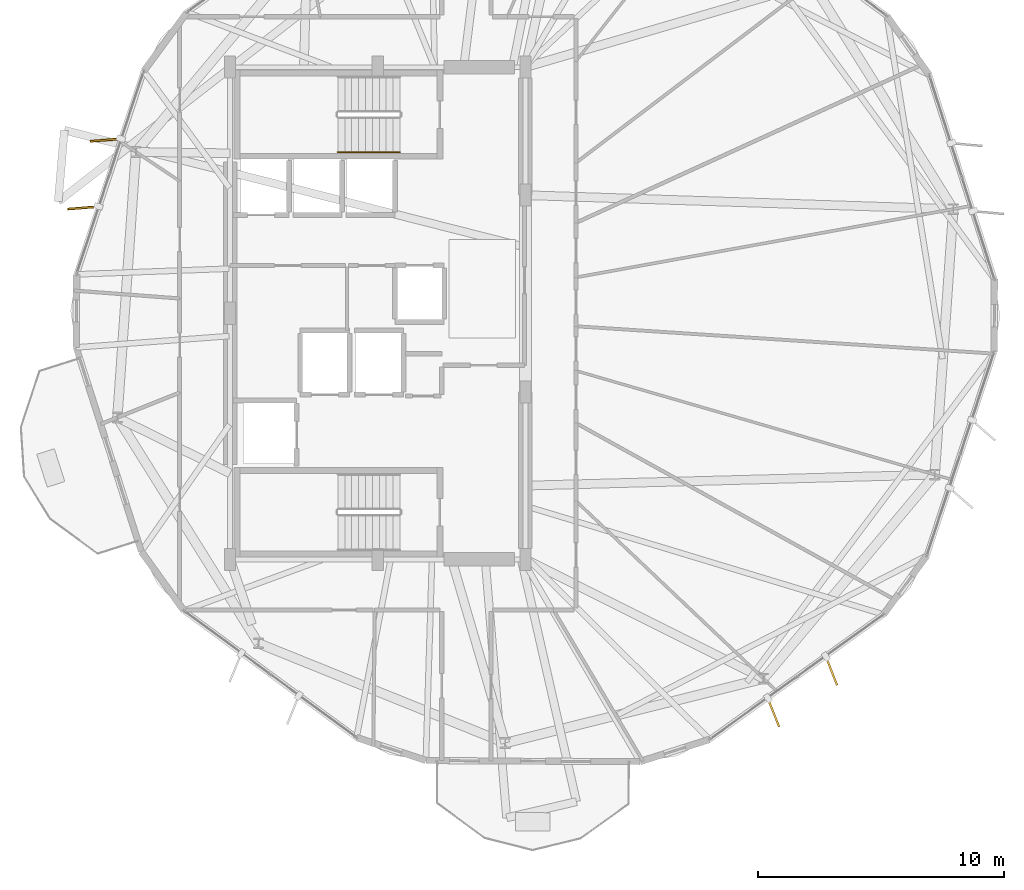
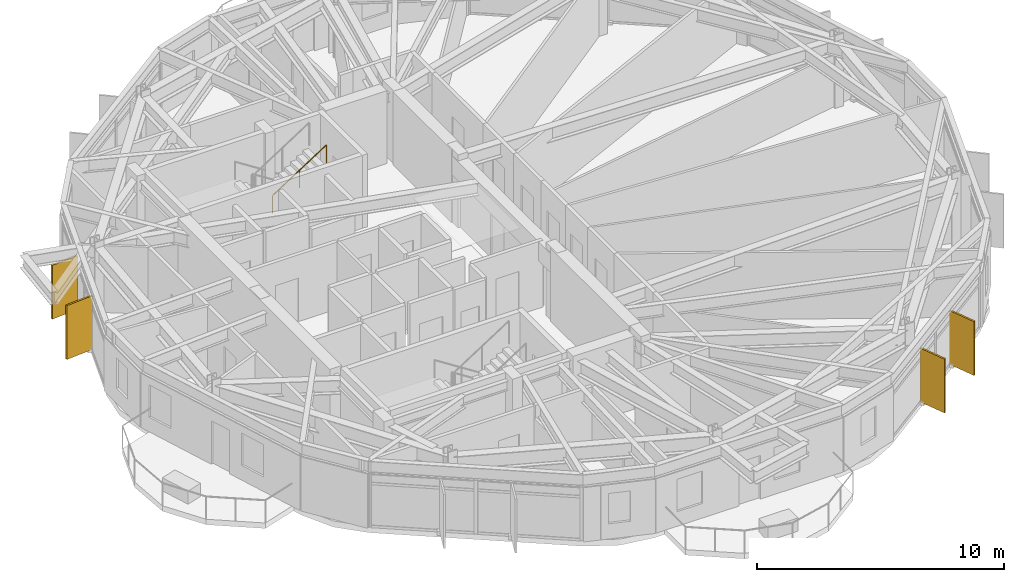
# One storey, part 22 of 24: 4 shading devices, 1 railing.
"""IFC4 building model written with IfcOpenShell, lengths in metres."""

from ifc_helpers import new_model, si_unit, direction, frame, origin, origin_2d, place, context, subcontext, project, spatial, rectangle, circle, extrude, material, layer, layer_set, type_object, element, save


model = new_model("IFC4")

# Units and contexts
model_context = context("Model", 3, precision=1e-05, world=origin(), true_north=direction((0.0, 1.0)))
body_context = subcontext(model_context, "Body", "Model", "MODEL_VIEW")
ifc_project = project(units=[si_unit("LENGTHUNIT", "METRE"), si_unit("AREAUNIT", "SQUARE_METRE"), si_unit("VOLUMEUNIT", "CUBIC_METRE"), si_unit("PLANEANGLEUNIT", "RADIAN"), si_unit("MASSUNIT", "GRAM", prefix="KILO")], contexts=[model_context])

# Site, building, storey
site_placement = place(None, origin())
site = spatial("IfcSite", under=ifc_project, at=site_placement, CompositionType="ELEMENT")
building_placement = place(site_placement, origin())
building = spatial("IfcBuilding", under=site, at=building_placement, Name="Soratama Intermodal Tower", CompositionType="ELEMENT")
storey_placement = place(building_placement, frame((0.0, 0.0, 164.199951171875)))
storey = spatial("IfcBuildingStorey", under=building, at=storey_placement, Name="L40", CompositionType="ELEMENT", Elevation=164.199951171875)

# Railing
ifc_material_1 = material(Name="Brushed stainless steel handrail", Category="steel")
railing_type = type_object("IfcRailingType", Name="RL-STAIR-HAND", PredefinedType="HANDRAIL", material=ifc_material_1)
railing_placement = place(storey_placement, frame((36.97998046875, 31.550048828125, 1.97998046875)))
element("IfcRailing", 1, at=railing_placement, inside=storey, type_object=railing_type, Name="L40 ST-2 stair handrail 2", PredefinedType="HANDRAIL", context=body_context, shape_type="SweptSolid", body=[
    extrude(circle(Radius=0.02392578125, at=origin_2d()), frame((0.0, 0.0, 0.8759765625), z_axis=(0.841162588446, 0.0, 0.540782303519), x_axis=(0.0, 1.0, 0.0)), (0.0, 0.0, 1.0), 2.995849609375),
    extrude(circle(Radius=0.02099609375, at=origin_2d()), origin(), (0.0, 0.0, 1.0), 0.851806640625),
    extrude(circle(Radius=0.02099609375, at=origin_2d()), frame((1.260009765625, 0.0, 0.81005859375)), (0.0, 0.0, 1.0), 0.851806640625),
    extrude(circle(Radius=0.02099609375, at=origin_2d()), frame((2.52001953125, 0.0, 1.6201171875)), (0.0, 0.0, 1.0), 0.851806640625),
])

# Shading devices
ifc_material_2 = material(Name="Champagne anodised aluminium solar fin", Category="aluminium")
ifc_layer = layer(ifc_material_2, 0.080078125)
ifc_layer_set = layer_set([ifc_layer], Name="Champagne anodised aluminium solar fin")
shading_device_type = type_object("IfcShadingDeviceType", Name="SH-FIN-1250", PredefinedType="USERDEFINED", material=ifc_layer_set)
for number, where, z_axis, x_axis, name in (
    (2, (27.540283203125, 32.038330078125, 0.02001953125), (0.0, 0.0, 1.0), (-0.996876115993, -0.078981069644, 0.0), "L40 Solar Fin F04-1"),
    (3, (26.629638671875, 29.2841796875, 0.02001953125), (0.0, 0.0, 1.0), (-0.996876115993, -0.078981069644, 0.0), "L40 Solar Fin F04-2"),
    (4, (54.67529296875, 8.780517578125, 0.02001953125), (0.0, 0.0, 1.0), (0.367962270469, -0.929840721582, 0.0), "L40 Solar Fin F08-1"),
    (5, (57.031005859375, 10.47314453125, 0.02001953125), (0.0, 0.0, 1.0), (0.367962270469, -0.929840721582, 0.0), "L40 Solar Fin F08-2"),
):
    element("IfcShadingDevice", number, at=place(storey_placement, frame(where, z_axis=z_axis, x_axis=x_axis)), inside=storey, type_object=shading_device_type, Name=name, ObjectType="FIN", PredefinedType="USERDEFINED", context=body_context, shape_type="SweptSolid", body=[
        extrude(rectangle(XDim=1.25, YDim=0.080078125, at=origin_2d()), origin(), (0.0, 0.0, 1.0), 2.658935546875),
    ])

save(model, "model.ifc")
